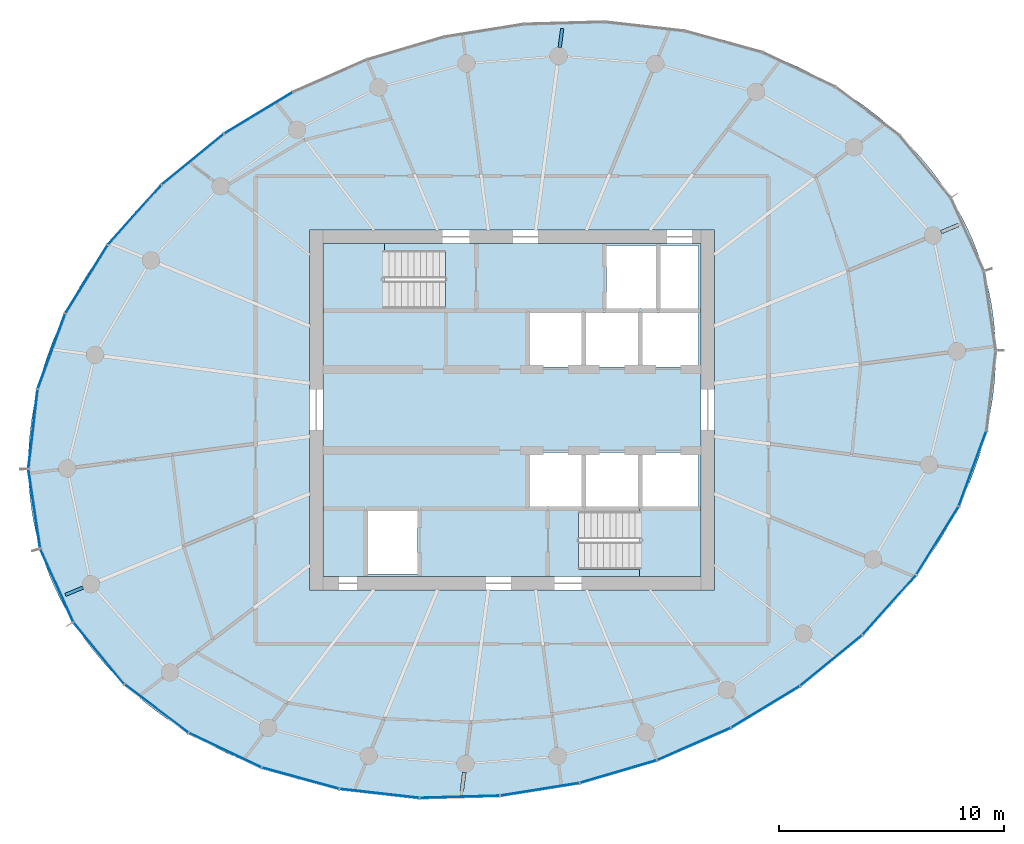
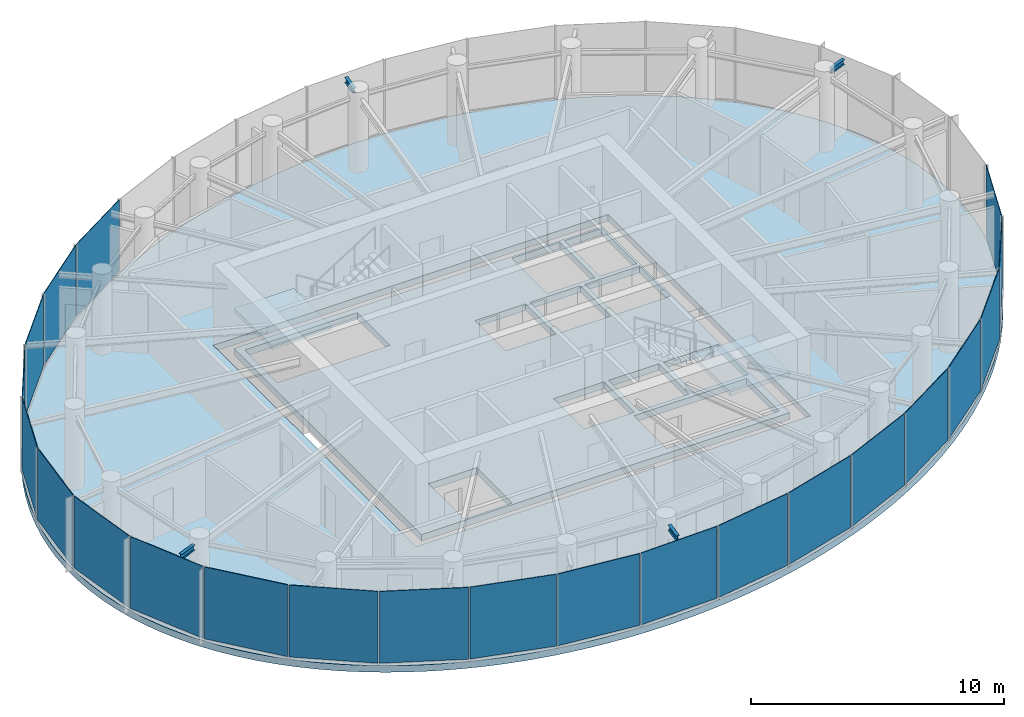
# One storey, part 7 of 13: 22 plates, 4 beams, 4 slabs, 7 elements without a shape of their own.
"""IFC4 building model written with IfcOpenShell, lengths in metres."""

from ifc_helpers import new_model, si_unit, direction, frame, origin, origin_2d, place, context, subcontext, project, spatial, line, indexed_curve, rectangle, i_section, outline, extrude, source, transform, mapped, material, layer, layer_set, material_profile, profile_set, type_object, element, aggregate, save


model = new_model("IFC4")

# Units and contexts
model_context = context("Model", 3, precision=1e-05, world=origin(), true_north=direction((0.0, 1.0)))
body_context = subcontext(model_context, "Body", "Model", "MODEL_VIEW")
ifc_project = project(units=[si_unit("LENGTHUNIT", "METRE"), si_unit("AREAUNIT", "SQUARE_METRE"), si_unit("VOLUMEUNIT", "CUBIC_METRE"), si_unit("PLANEANGLEUNIT", "RADIAN"), si_unit("MASSUNIT", "GRAM", prefix="KILO")], contexts=[model_context])

# Site, building, storey
site_placement = place(None, origin())
site = spatial("IfcSite", under=ifc_project, at=site_placement, CompositionType="ELEMENT")
building_placement = place(site_placement, origin())
building = spatial("IfcBuilding", under=site, at=building_placement, Name="Spindrift Exchange Tower", CompositionType="ELEMENT")
storey_placement = place(building_placement, frame((0.0, 0.0, 254.0)))
storey = spatial("IfcBuildingStorey", under=building, at=storey_placement, Name="L62", CompositionType="ELEMENT", Elevation=254.0)

# Beams
ifc_material_1 = material(Name="Steel Grade 300", Category="steel")
ifc_material_profile = material_profile(ifc_material_1, i_section(OverallWidth=0.14599609375, OverallDepth=0.251953125, WebThickness=0.006103515625, FlangeThickness=0.008544921875, FilletRadius=0.011962890625, at=origin_2d()), Name="250UB31.4")
ifc_profile_set = profile_set([ifc_material_profile], Name="Steel Grade 300")
beam_type = type_object("IfcBeamType", Name="Cantilever Beam 250UB31.4 Steel Grade 300", PredefinedType="BEAM", material=ifc_profile_set)
shared_shape_1 = source(origin(), body_context, "Body", "SweptSolid", [
    extrude(i_section(OverallWidth=0.14599609375, OverallDepth=0.251953125, WebThickness=0.006103515625, FlangeThickness=0.008544921875, FilletRadius=0.011962890625, at=origin_2d()), origin(), (0.0, 0.0, 1.0), 0.84912109375),
])
for number, where, z_axis, x_axis, name in (
    (1, (71.07080078125, 55.8994140625, 3.4541015625), (0.923866130608, 0.38271578582, 0.0), (-0.38271578582, 0.923866130608, 0.0), "L62 cantilever beam R02T"),
    (2, (32.92919921875, 40.1005859375, 3.4541015625), (-0.923866130608, -0.38271578582, 0.0), (0.38271578582, -0.923866130608, 0.0), "L62 cantilever beam R14T"),
):
    element("IfcBeam", number, at=place(storey_placement, frame(where, z_axis=z_axis, x_axis=x_axis)), inside=storey, type_object=beam_type, Name=name, PredefinedType="BEAM", context=body_context, shape_type="MappedRepresentation", body=[
        mapped(shared_shape_1, transform((0.0, 0.0, 0.0), scale=1.0)),
    ])
shared_shape_2 = source(origin(), body_context, "Body", "SweptSolid", [
    extrude(i_section(OverallWidth=0.14599609375, OverallDepth=0.251953125, WebThickness=0.006103515625, FlangeThickness=0.008544921875, FilletRadius=0.011962890625, at=origin_2d()), origin(), (0.0, 0.0, 1.0), 0.849853515625),
])
for number, where, z_axis, x_axis, name in (
    (3, (54.12060546875, 64.108154296875, 3.4541015625), (0.130714609415, 0.991420037565, 0.0), (-0.991420037565, 0.130714609415, 0.0), "L62 cantilever beam R06T"),
    (4, (49.87939453125, 31.891845703125, 3.4541015625), (-0.130714609415, -0.991420037565, 0.0), (0.991420037565, -0.130714609415, 0.0), "L62 cantilever beam R18T"),
):
    element("IfcBeam", number, at=place(storey_placement, frame(where, z_axis=z_axis, x_axis=x_axis)), inside=storey, type_object=beam_type, Name=name, PredefinedType="BEAM", context=body_context, shape_type="MappedRepresentation", body=[
        mapped(shared_shape_2, transform((0.0, 0.0, 0.0), scale=1.0)),
    ])

# Slabs
ifc_material_2 = material(Name="Concrete 40 MPa", Category="concrete")
ifc_layer_1 = layer(ifc_material_2, 0.320068359375)
ifc_layer_set_1 = layer_set([ifc_layer_1], Name="RC Floor Slab 320 Concrete 40 MPa")
slab_type_1 = type_object("IfcSlabType", Name="RC Floor Slab 320 Concrete 40 MPa", PredefinedType="FLOOR", material=ifc_layer_set_1)
slab_1_placement = place(storey_placement, frame((0.0, 0.0, -0.320068359375)))
element("IfcSlab", 5, at=slab_1_placement, inside=storey, type_object=slab_type_1, Name="Floor slab L62", PredefinedType="FLOOR", context=body_context, shape_type="SweptSolid", body=[
    extrude(outline(indexed_curve([(72.970703125, 54.169921875), (72.762451171875, 54.814697265625), (72.520751953125, 55.447998046875), (72.3876953125, 55.759765625), (72.097412109375, 56.372314453125), (71.77587890625, 56.968994140625), (71.60400390625, 57.260986328125), (71.238525390625, 57.831787109375), (71.04541015625, 58.110107421875), (70.638671875, 58.652587890625), (70.206298828125, 59.174560546875), (69.75, 59.67578125), (69.513427734375, 59.91845703125), (69.02392578125, 60.387451171875), (68.514404296875, 60.834228515625), (68.25244140625, 61.04931640625), (67.71533203125, 61.462890625), (67.4404296875, 61.6611328125), (66.879150390625, 62.041015625), (66.302978515625, 62.3984375), (66.010009765625, 62.56884765625), (65.414794921875, 62.892822265625), (64.807861328125, 63.19482421875), (64.50048828125, 63.337646484375), (64.190673828125, 63.474853515625), (63.564208984375, 63.733642578125), (63.24755859375, 63.85498046875), (62.60888671875, 64.081787109375), (61.963134765625, 64.28759765625), (61.6376953125, 64.3828125), (60.98291015625, 64.558349609375), (60.65380859375, 64.638427734375), (59.99169921875, 64.78369140625), (59.6591796875, 64.84912109375), (58.656005859375, 65.01611328125), (57.64697265625, 65.140380859375), (56.6337890625, 65.22314453125), (55.617919921875, 65.264892578125), (54.60107421875, 65.26708984375), (53.5849609375, 65.22998046875), (52.571044921875, 65.154541015625), (51.560546875, 65.04150390625), (50.554931640625, 64.8916015625), (49.555419921875, 64.705078125), (48.89306640625, 64.560791015625), (48.234375, 64.40087890625), (47.25390625, 64.13134765625), (46.283935546875, 63.826904296875), (45.6435546875, 63.604736328125), (45.008544921875, 63.367431640625), (44.0673828125, 62.98291015625), (43.140625, 62.564208984375), (42.22998046875, 62.112060546875), (41.3369140625, 61.62646484375), (40.462646484375, 61.107421875), (39.60888671875, 60.554931640625), (38.777587890625, 59.9697265625), (37.970458984375, 59.351318359375), (37.189453125, 58.700439453125), (36.436767578125, 58.016845703125), (35.951904296875, 57.543212890625), (35.714599609375, 57.301025390625), (35.25146484375, 56.80615234375), (35.025634765625, 56.553466796875), (34.8037109375, 56.297119140625), (34.37255859375, 55.7744140625), (33.958251953125, 55.23779296875), (33.758056640625, 54.96435546875), (33.562255859375, 54.687744140625), (33.185302734375, 54.12451171875), (32.828125, 53.548095703125), (32.657470703125, 53.25537109375), (32.4921875, 52.95947265625), (32.178466796875, 52.358642578125), (31.8876953125, 51.746337890625), (31.62158203125, 51.123046875), (31.497802734375, 50.807373046875), (31.270263671875, 50.1689453125), (31.16650390625, 49.84619140625), (30.97998046875, 49.194580078125), (30.822509765625, 48.535400390625), (30.7548828125, 48.203125), (30.642822265625, 47.53466796875), (30.562255859375, 46.86181640625), (30.513916015625, 46.185546875), (30.502197265625, 45.846923828125), (30.504150390625, 45.169189453125), (30.517578125, 44.830322265625), (30.57080078125, 44.15478515625), (30.658447265625, 43.482666015625), (30.71533203125, 43.1484375), (30.85498046875, 42.4853515625), (31.029296875, 41.830078125), (31.237548828125, 41.185302734375), (31.479248046875, 40.552001953125), (31.6123046875, 40.240234375), (31.902587890625, 39.627685546875), (32.22412109375, 39.031005859375), (32.39599609375, 38.739013671875), (32.761474609375, 38.168212890625), (32.95458984375, 37.889892578125), (33.361328125, 37.347412109375), (33.793701171875, 36.825439453125), (34.25, 36.32421875), (34.486572265625, 36.08154296875), (34.97607421875, 35.612548828125), (35.485595703125, 35.165771484375), (35.74755859375, 34.95068359375), (36.28466796875, 34.537109375), (36.5595703125, 34.3388671875), (37.120849609375, 33.958984375), (37.697021484375, 33.6015625), (37.989990234375, 33.43115234375), (38.585205078125, 33.107177734375), (39.192138671875, 32.80517578125), (39.49951171875, 32.662353515625), (39.809326171875, 32.525146484375), (40.435791015625, 32.266357421875), (40.75244140625, 32.14501953125), (41.39111328125, 31.918212890625), (42.036865234375, 31.71240234375), (42.3623046875, 31.6171875), (43.01708984375, 31.441650390625), (43.34619140625, 31.361572265625), (44.00830078125, 31.21630859375), (44.3408203125, 31.15087890625), (45.343994140625, 30.98388671875), (46.35302734375, 30.859619140625), (47.3662109375, 30.77685546875), (48.382080078125, 30.735107421875), (49.39892578125, 30.73291015625), (50.4150390625, 30.77001953125), (51.428955078125, 30.845458984375), (52.439453125, 30.95849609375), (53.445068359375, 31.1083984375), (54.444580078125, 31.294921875), (55.10693359375, 31.439208984375), (55.765625, 31.59912109375), (56.74609375, 31.86865234375), (57.716064453125, 32.173095703125), (58.3564453125, 32.395263671875), (58.991455078125, 32.632568359375), (59.9326171875, 33.01708984375), (60.859375, 33.435791015625), (61.77001953125, 33.887939453125), (62.6630859375, 34.37353515625), (63.537353515625, 34.892578125), (64.39111328125, 35.445068359375), (65.222412109375, 36.0302734375), (66.029541015625, 36.648681640625), (66.810546875, 37.299560546875), (67.563232421875, 37.983154296875), (68.048095703125, 38.456787109375), (68.285400390625, 38.698974609375), (68.74853515625, 39.19384765625), (68.974365234375, 39.446533203125), (69.1962890625, 39.702880859375), (69.62744140625, 40.2255859375), (70.041748046875, 40.76220703125), (70.241943359375, 41.03564453125), (70.437744140625, 41.312255859375), (70.814697265625, 41.87548828125), (71.171875, 42.451904296875), (71.342529296875, 42.74462890625), (71.5078125, 43.04052734375), (71.821533203125, 43.641357421875), (72.1123046875, 44.253662109375), (72.37841796875, 44.876953125), (72.502197265625, 45.192626953125), (72.729736328125, 45.8310546875), (72.83349609375, 46.15380859375), (73.02001953125, 46.805419921875), (73.177490234375, 47.464599609375), (73.2451171875, 47.796875), (73.357177734375, 48.46533203125), (73.437744140625, 49.13818359375), (73.486083984375, 49.814453125), (73.497802734375, 50.153076171875), (73.495849609375, 50.830810546875), (73.482421875, 51.169677734375), (73.42919921875, 51.84521484375), (73.341552734375, 52.517333984375), (73.28466796875, 52.8515625), (73.14501953125, 53.5146484375)], segments=[line(1, 2, 3, 4, 5, 6, 7, 8, 9, 10, 11, 12, 13, 14, 15, 16, 17, 18, 19, 20, 21, 22, 23, 24, 25, 26, 27, 28, 29, 30, 31, 32, 33, 34, 35, 36, 37, 38, 39, 40, 41, 42, 43, 44, 45, 46, 47, 48, 49, 50, 51, 52, 53, 54, 55, 56, 57, 58, 59, 60, 61, 62, 63, 64, 65, 66, 67, 68, 69, 70, 71, 72, 73, 74, 75, 76, 77, 78, 79, 80, 81, 82, 83, 84, 85, 86, 87, 88, 89, 90, 91, 92, 93, 94, 95, 96, 97, 98, 99, 100, 101, 102, 103, 104, 105, 106, 107, 108, 109, 110, 111, 112, 113, 114, 115, 116, 117, 118, 119, 120, 121, 122, 123, 124, 125, 126, 127, 128, 129, 130, 131, 132, 133, 134, 135, 136, 137, 138, 139, 140, 141, 142, 143, 144, 145, 146, 147, 148, 149, 150, 151, 152, 153, 154, 155, 156, 157, 158, 159, 160, 161, 162, 163, 164, 165, 166, 167, 168, 169, 170, 171, 172, 173, 174, 175, 176, 177, 178, 179, 180, 181, 182, 183, 184, 1)], self_intersect=False), holes=[indexed_curve([(43.0, 40.0), (61.0, 40.0), (61.0, 56.0), (43.0, 56.0)], segments=[line(1, 2, 3, 4, 1)], self_intersect=False)]), origin(), (0.0, 0.0, 1.0), 0.320068359375),
])
ifc_material_3 = material(Name="Concrete 50 MPa", Category="concrete")
ifc_layer_2 = layer(ifc_material_3, 0.320068359375)
ifc_layer_set_2 = layer_set([ifc_layer_2], Name="SL-CORE-FLOOR-320")
slab_type_2 = type_object("IfcSlabType", Name="SL-CORE-FLOOR-320", PredefinedType="FLOOR", material=ifc_layer_set_2)
slab_2_placement = place(storey_placement, frame((0.0, 0.0, -0.320068359375)))
element("IfcSlab", 6, at=slab_2_placement, inside=storey, type_object=slab_type_2, Name="L62 Core floor slab", PredefinedType="FLOOR", context=body_context, shape_type="SweptSolid", body=[
    extrude(outline(indexed_curve([(43.60009765625, 40.60009765625), (43.60009765625, 55.39990234375), (60.39990234375, 55.39990234375), (60.39990234375, 40.60009765625)], segments=[line(1, 2, 3, 4, 1)], self_intersect=False), holes=[indexed_curve([(45.60009765625, 43.5), (45.60009765625, 40.699951171875), (47.800048828125, 40.699951171875), (47.800048828125, 43.5)], segments=[line(1, 2, 3, 4, 1)], self_intersect=False), indexed_curve([(52.800048828125, 46.10009765625), (52.800048828125, 43.699951171875), (55.10009765625, 43.699951171875), (55.10009765625, 46.10009765625)], segments=[line(1, 2, 3, 4, 1)], self_intersect=False), indexed_curve([(55.300048828125, 46.10009765625), (55.300048828125, 43.699951171875), (57.60009765625, 43.699951171875), (57.60009765625, 46.10009765625)], segments=[line(1, 2, 3, 4, 1)], self_intersect=False), indexed_curve([(55.10009765625, 52.300048828125), (52.800048828125, 52.300048828125), (52.800048828125, 49.89990234375), (55.10009765625, 49.89990234375)], segments=[line(1, 2, 3, 4, 1)], self_intersect=False), indexed_curve([(57.60009765625, 52.300048828125), (55.300048828125, 52.300048828125), (55.300048828125, 49.89990234375), (57.60009765625, 49.89990234375)], segments=[line(1, 2, 3, 4, 1)], self_intersect=False), indexed_curve([(43.906005859375, 52.506103515625), (49.0439453125, 52.506103515625), (49.0439453125, 55.093994140625), (43.906005859375, 55.093994140625)], segments=[line(1, 2, 3, 4, 1)], self_intersect=False), indexed_curve([(60.093994140625, 40.906005859375), (60.093994140625, 43.493896484375), (54.9560546875, 43.493896484375), (54.9560546875, 40.906005859375)], segments=[line(1, 2, 3, 4, 1)], self_intersect=False), indexed_curve([(60.300048828125, 46.10009765625), (57.800048828125, 46.10009765625), (57.800048828125, 43.699951171875), (60.300048828125, 43.699951171875)], segments=[line(1, 2, 3, 4, 1)], self_intersect=False), indexed_curve([(57.800048828125, 52.300048828125), (57.800048828125, 49.89990234375), (60.300048828125, 49.89990234375), (60.300048828125, 52.300048828125)], segments=[line(1, 2, 3, 4, 1)], self_intersect=False), indexed_curve([(58.39990234375, 55.300048828125), (56.199951171875, 55.300048828125), (56.199951171875, 52.5), (58.39990234375, 52.5)], segments=[line(1, 2, 3, 4, 1)], self_intersect=False), indexed_curve([(60.300048828125, 55.300048828125), (58.60009765625, 55.300048828125), (58.60009765625, 52.5), (60.300048828125, 52.5)], segments=[line(1, 2, 3, 4, 1)], self_intersect=False)]), origin(), (0.0, 0.0, 1.0), 0.320068359375),
])

# Stair, slab
stair_type = type_object("IfcStairType", Name="ST-1250-R177", PredefinedType="HALF_TURN_STAIR", material=ifc_material_3)
stair_1_placement = place(storey_placement, origin())
stair_1 = element("IfcStair", 7, at=stair_1_placement, inside=storey, type_object=stair_type, Name="L62 Exit stair ST1", PredefinedType="HALF_TURN_STAIR")
ifc_layer_3 = layer(ifc_material_3, 0.199951171875)
ifc_layer_set_3 = layer_set([ifc_layer_3], Name="SL-LANDING")
slab_type_3 = type_object("IfcSlabType", Name="SL-LANDING", PredefinedType="LANDING", material=ifc_layer_set_3)
slab_3_placement = place(storey_placement, frame((0.0, 0.0, 1.75)))
slab_3 = element("IfcSlab", 8, at=slab_3_placement, type_object=slab_type_3, Name="ST1 landing 1", PredefinedType="LANDING", context=body_context, shape_type="SweptSolid", body=[
    extrude(outline(indexed_curve([(46.330078125, 52.39990234375), (43.60009765625, 52.39990234375), (43.60009765625, 55.39990234375), (46.330078125, 55.39990234375)], segments=[line(1, 2, 3, 4, 1)], self_intersect=False)), origin(), (0.0, 0.0, 1.0), 0.199951171875),
])
aggregate(stair_1, [slab_3])

stair_2_placement = place(storey_placement, origin())
stair_2 = element("IfcStair", 9, at=stair_2_placement, inside=storey, type_object=stair_type, Name="L62 Exit stair ST2", PredefinedType="HALF_TURN_STAIR")
slab_4_placement = place(storey_placement, frame((0.0, 0.0, 1.75)))
slab_4 = element("IfcSlab", 10, at=slab_4_placement, type_object=slab_type_3, Name="ST2 landing 1", PredefinedType="LANDING", context=body_context, shape_type="SweptSolid", body=[
    extrude(outline(indexed_curve([(57.669921875, 43.60009765625), (60.39990234375, 43.60009765625), (60.39990234375, 40.60009765625), (57.669921875, 40.60009765625)], segments=[line(1, 2, 3, 4, 1)], self_intersect=False)), origin(), (0.0, 0.0, 1.0), 0.199951171875),
])
aggregate(stair_2, [slab_4])

# Curtain wall, plates
ifc_material_4 = material(Name="Fritted laminated glass with bronze frame", Category="glass")
ifc_layer_4 = layer(ifc_material_4, 0.159912109375)
ifc_layer_set_4 = layer_set([ifc_layer_4], Name="ZONE 5 BRONZE FRITTED WALL")
curtain_wall_type = type_object("IfcCurtainWallType", Name="ZONE 5 BRONZE FRITTED WALL", PredefinedType="NOTDEFINED", material=ifc_layer_set_4)
curtain_wall_1_placement = place(storey_placement, origin())
curtain_wall_1 = element("IfcCurtainWall", 11, at=curtain_wall_1_placement, inside=storey, type_object=curtain_wall_type, Name="L62 Zone 5 Bronze Fritted Wall run 5", PredefinedType="NOTDEFINED")
ifc_material_5 = material(Name="Bronze fritted laminated glass, open frit", Category="glass")
ifc_layer_5 = layer(ifc_material_5, 0.028076171875)
ifc_layer_set_5 = layer_set([ifc_layer_5], Name="ZONE 5 BRONZE FRITTED WALL PANEL OPEN FRIT 600")
plate_type_1 = type_object("IfcPlateType", Name="ZONE 5 BRONZE FRITTED WALL PANEL OPEN FRIT 600", PredefinedType="CURTAIN_PANEL", material=ifc_layer_set_5)
shared_shape_3 = source(origin(), body_context, "Body", "SweptSolid", [
    extrude(rectangle(XDim=3.5263671875, YDim=0.028076171875, at=origin_2d()), origin(), (0.0, 0.0, 1.0), 3.4599609375),
])
plate_1_placement = place(storey_placement, frame((56.72998046875, 31.923095703125, 0.1201171875), z_axis=(0.0, 0.0, 1.0), x_axis=(0.959343536008, 0.28224099617, 0.0)))
plate_1 = element("IfcPlate", 12, at=plate_1_placement, type_object=plate_type_1, Name="L62 panel CW-5.26", PredefinedType="CURTAIN_PANEL", context=body_context, shape_type="MappedRepresentation", body=[
    mapped(shared_shape_3, transform((0.0, 0.0, 0.0), scale=1.0)),
])
ifc_layer_6 = layer(ifc_material_5, 0.028076171875)
ifc_layer_set_6 = layer_set([ifc_layer_6], Name="ZONE 5 BRONZE FRITTED WALL PANEL OPEN FRIT 480")
plate_type_2 = type_object("IfcPlateType", Name="ZONE 5 BRONZE FRITTED WALL PANEL OPEN FRIT 480", PredefinedType="CURTAIN_PANEL", material=ifc_layer_set_6)
shared_shape_4 = source(origin(), body_context, "Body", "SweptSolid", [
    extrude(rectangle(XDim=3.526123046875, YDim=0.028076171875, at=origin_2d()), origin(), (0.0, 0.0, 1.0), 3.4599609375),
])
plate_2_placement = place(storey_placement, frame((63.26806640625, 34.798583984375, 0.1201171875), z_axis=(0.0, 0.0, 1.0), x_axis=(0.855258459387, 0.518201666966, 0.0)))
plate_2 = element("IfcPlate", 13, at=plate_2_placement, type_object=plate_type_2, Name="L62 panel CW-5.28", PredefinedType="CURTAIN_PANEL", context=body_context, shape_type="MappedRepresentation", body=[
    mapped(shared_shape_4, transform((0.0, 0.0, 0.0), scale=1.0)),
])

# Curtain wall, plate
curtain_wall_2_placement = place(storey_placement, origin())
curtain_wall_2 = element("IfcCurtainWall", 14, at=curtain_wall_2_placement, inside=storey, type_object=curtain_wall_type, Name="L62 Zone 5 Bronze Fritted Wall run 4", PredefinedType="NOTDEFINED")
shared_shape_5 = source(origin(), body_context, "Body", "SweptSolid", [
    extrude(rectangle(XDim=3.525390625, YDim=0.028076171875, at=origin_2d()), origin(), (0.0, 0.0, 1.0), 3.4599609375),
])
plate_3_placement = place(storey_placement, frame((46.1025390625, 30.952392578125, 0.1201171875), z_axis=(0.0, 0.0, 1.0), x_axis=(0.993628829001, -0.112702041592, 0.0)))
plate_3 = element("IfcPlate", 15, at=plate_3_placement, type_object=plate_type_1, Name="L62 panel CW-5.23", PredefinedType="CURTAIN_PANEL", context=body_context, shape_type="MappedRepresentation", body=[
    mapped(shared_shape_5, transform((0.0, 0.0, 0.0), scale=1.0)),
])

# Curtain wall, plates
curtain_wall_3_placement = place(storey_placement, origin())
curtain_wall_3 = element("IfcCurtainWall", 16, at=curtain_wall_3_placement, inside=storey, type_object=curtain_wall_type, Name="L62 Zone 5 Bronze Fritted Wall run 3", PredefinedType="NOTDEFINED")
shared_shape_6 = source(origin(), body_context, "Body", "SweptSolid", [
    extrude(rectangle(XDim=3.5234375, YDim=0.028076171875, at=origin_2d()), origin(), (0.0, 0.0, 1.0), 3.4599609375),
])
plate_4_placement = place(storey_placement, frame((33.086669921875, 53.810302734375, 0.1201171875), z_axis=(0.0, 0.0, 1.0), x_axis=(-0.526627937595, -0.850095885971, 0.0)))
plate_4 = element("IfcPlate", 17, at=plate_4_placement, type_object=plate_type_2, Name="L62 panel CW-5.14", PredefinedType="CURTAIN_PANEL", context=body_context, shape_type="MappedRepresentation", body=[
    mapped(shared_shape_6, transform((0.0, 0.0, 0.0), scale=1.0)),
])
shared_shape_7 = source(origin(), body_context, "Body", "SweptSolid", [
    extrude(rectangle(XDim=3.519287109375, YDim=0.028076171875, at=origin_2d()), origin(), (0.0, 0.0, 1.0), 3.4599609375),
])
plate_5_placement = place(storey_placement, frame((30.705810546875, 47.146240234375, 0.1201171875), z_axis=(0.0, 0.0, 1.0), x_axis=(-0.114992630715, -0.99336634475, 0.0)))
plate_5 = element("IfcPlate", 18, at=plate_5_placement, type_object=plate_type_1, Name="L62 panel CW-5.16", PredefinedType="CURTAIN_PANEL", context=body_context, shape_type="MappedRepresentation", body=[
    mapped(shared_shape_7, transform((0.0, 0.0, 0.0), scale=1.0)),
])

# Plate
plate_6_placement = place(storey_placement, frame((33.63623046875, 37.18603515625, 0.1201171875), z_axis=(0.0, 0.0, 1.0), x_axis=(0.634646891667, -0.772802253424, 0.0)))
plate_6 = element("IfcPlate", 19, at=plate_6_placement, type_object=plate_type_1, Name="L62 panel CW-5.19", PredefinedType="CURTAIN_PANEL", context=body_context, shape_type="MappedRepresentation", body=[
    mapped(shared_shape_7, transform((0.0, 0.0, 0.0), scale=1.0)),
])

shared_shape_8 = source(origin(), body_context, "Body", "SweptSolid", [
    extrude(rectangle(XDim=3.517578125, YDim=0.028076171875, at=origin_2d()), origin(), (0.0, 0.0, 1.0), 3.4599609375),
])
plate_7_placement = place(storey_placement, frame((31.764892578125, 40.19970703125, 0.1201171875), z_axis=(0.0, 0.0, 1.0), x_axis=(0.411213694149, -0.911538972148, 0.0)))
plate_7 = element("IfcPlate", 20, at=plate_7_placement, type_object=plate_type_2, Name="L62 panel CW-5.18", PredefinedType="CURTAIN_PANEL", context=body_context, shape_type="MappedRepresentation", body=[
    mapped(shared_shape_8, transform((0.0, 0.0, 0.0), scale=1.0)),
])

ifc_layer_7 = layer(ifc_material_5, 0.028076171875)
ifc_layer_set_7 = layer_set([ifc_layer_7], Name="ZONE 5 BRONZE FRITTED WALL PANEL OPEN FRIT 360")
plate_type_3 = type_object("IfcPlateType", Name="ZONE 5 BRONZE FRITTED WALL PANEL OPEN FRIT 360", PredefinedType="CURTAIN_PANEL", material=ifc_layer_set_7)
shared_shape_9 = source(origin(), body_context, "Body", "SweptSolid", [
    extrude(rectangle(XDim=3.5234375, YDim=0.028076171875, at=origin_2d()), origin(), (0.0, 0.0, 1.0), 3.4599609375),
])
plate_8_placement = place(storey_placement, frame((39.246337890625, 32.873046875, 0.1201171875), z_axis=(0.0, 0.0, 1.0), x_axis=(0.903088094144, -0.429455346008, 0.0)))
plate_8 = element("IfcPlate", 21, at=plate_8_placement, type_object=plate_type_3, Name="L62 panel CW-5.21", PredefinedType="CURTAIN_PANEL", context=body_context, shape_type="MappedRepresentation", body=[
    mapped(shared_shape_9, transform((0.0, 0.0, 0.0), scale=1.0)),
])

shared_shape_10 = source(origin(), body_context, "Body", "SweptSolid", [
    extrude(rectangle(XDim=3.5263671875, YDim=0.028076171875, at=origin_2d()), origin(), (0.0, 0.0, 1.0), 3.4599609375),
])
plate_9_placement = place(storey_placement, frame((60.09228515625, 33.1494140625, 0.1201171875), z_axis=(0.0, 0.0, 1.0), x_axis=(0.915796534921, 0.40164251098, 0.0)))
plate_9 = element("IfcPlate", 22, at=plate_9_placement, type_object=plate_type_2, Name="L62 panel CW-5.27", PredefinedType="CURTAIN_PANEL", context=body_context, shape_type="MappedRepresentation", body=[
    mapped(shared_shape_10, transform((0.0, 0.0, 0.0), scale=1.0)),
])

# Curtain wall, plate
curtain_wall_4_placement = place(storey_placement, origin())
curtain_wall_4 = element("IfcCurtainWall", 23, at=curtain_wall_4_placement, inside=storey, type_object=curtain_wall_type, Name="L62 Zone 5 Bronze Fritted Wall run 2", PredefinedType="NOTDEFINED")
shared_shape_11 = source(origin(), body_context, "Body", "SweptSolid", [
    extrude(rectangle(XDim=3.526123046875, YDim=0.028076171875, at=origin_2d()), origin(), (0.0, 0.0, 1.0), 3.4599609375),
])
plate_10_placement = place(storey_placement, frame((40.73193359375, 61.201416015625, 0.1201171875), z_axis=(0.0, 0.0, 1.0), x_axis=(-0.855258459387, -0.518201666966, 0.0)))
plate_10 = element("IfcPlate", 24, at=plate_10_placement, type_object=plate_type_3, Name="L62 panel CW-5.11", PredefinedType="CURTAIN_PANEL", context=body_context, shape_type="MappedRepresentation", body=[
    mapped(shared_shape_11, transform((0.0, 0.0, 0.0), scale=1.0)),
])

# Plate
plate_11_placement = place(storey_placement, frame((49.67626953125, 30.7998046875, 0.1201171875), z_axis=(0.0, 0.0, 1.0), x_axis=(0.999621146894, 0.027523856603, 0.0)))
plate_11 = element("IfcPlate", 25, at=plate_11_placement, type_object=plate_type_3, Name="L62 panel CW-5.24", PredefinedType="CURTAIN_PANEL", context=body_context, shape_type="MappedRepresentation", body=[
    mapped(shared_shape_11, transform((0.0, 0.0, 0.0), scale=1.0)),
])

plate_12_placement = place(storey_placement, frame((53.2392578125, 31.133056640625, 0.1201171875), z_axis=(0.0, 0.0, 1.0), x_axis=(0.987390885245, 0.158301104657, 0.0)))
plate_12 = element("IfcPlate", 26, at=plate_12_placement, type_object=plate_type_3, Name="L62 panel CW-5.25", PredefinedType="CURTAIN_PANEL", context=body_context, shape_type="MappedRepresentation", body=[
    mapped(shared_shape_11, transform((0.0, 0.0, 0.0), scale=1.0)),
])

shared_shape_12 = source(origin(), body_context, "Body", "SweptSolid", [
    extrude(rectangle(XDim=3.517578125, YDim=0.028076171875, at=origin_2d()), origin(), (0.0, 0.0, 1.0), 3.4599609375),
])
plate_13_placement = place(storey_placement, frame((30.7646484375, 43.599365234375, 0.1201171875), z_axis=(0.0, 0.0, 1.0), x_axis=(0.147921610469, -0.988999088552, 0.0)))
plate_13 = element("IfcPlate", 27, at=plate_13_placement, type_object=plate_type_3, Name="L62 panel CW-5.17", PredefinedType="CURTAIN_PANEL", context=body_context, shape_type="MappedRepresentation", body=[
    mapped(shared_shape_12, transform((0.0, 0.0, 0.0), scale=1.0)),
])

shared_shape_13 = source(origin(), body_context, "Body", "SweptSolid", [
    extrude(rectangle(XDim=3.521484375, YDim=0.028076171875, at=origin_2d()), origin(), (0.0, 0.0, 1.0), 3.4599609375),
])
plate_14_placement = place(storey_placement, frame((31.52734375, 50.605712890625, 0.1201171875), z_axis=(0.0, 0.0, 1.0), x_axis=(-0.343794091416, -0.939045058933, 0.0)))
plate_14 = element("IfcPlate", 28, at=plate_14_placement, type_object=plate_type_2, Name="L62 panel CW-5.15", PredefinedType="CURTAIN_PANEL", context=body_context, shape_type="MappedRepresentation", body=[
    mapped(shared_shape_13, transform((0.0, 0.0, 0.0), scale=1.0)),
])

plate_15_placement = place(storey_placement, frame((36.2001953125, 34.722900390625, 0.1201171875), z_axis=(0.0, 0.0, 1.0), x_axis=(0.797540762125, -0.60326506011, 0.0)))
plate_15 = element("IfcPlate", 29, at=plate_15_placement, type_object=plate_type_2, Name="L62 panel CW-5.20", PredefinedType="CURTAIN_PANEL", context=body_context, shape_type="MappedRepresentation", body=[
    mapped(shared_shape_13, transform((0.0, 0.0, 0.0), scale=1.0)),
])

# Curtain wall, plates
curtain_wall_5_placement = place(storey_placement, origin())
curtain_wall_5 = element("IfcCurtainWall", 30, at=curtain_wall_5_placement, inside=storey, type_object=curtain_wall_type, Name="L62 Zone 5 Bronze Fritted Wall run 6", PredefinedType="NOTDEFINED")
plate_16_placement = place(storey_placement, frame((72.47265625, 45.394287109375, 0.1201171875), z_axis=(0.0, 0.0, 1.0), x_axis=(0.343794091416, 0.939045058933, 0.0)))
plate_16 = element("IfcPlate", 31, at=plate_16_placement, type_object=plate_type_2, Name="L62 panel CW-5.32", PredefinedType="CURTAIN_PANEL", context=body_context, shape_type="MappedRepresentation", body=[
    mapped(shared_shape_13, transform((0.0, 0.0, 0.0), scale=1.0)),
])
shared_shape_14 = source(origin(), body_context, "Body", "SweptSolid", [
    extrude(rectangle(XDim=3.5234375, YDim=0.028076171875, at=origin_2d()), origin(), (0.0, 0.0, 1.0), 3.4599609375),
])
plate_17_placement = place(storey_placement, frame((70.913330078125, 42.189697265625, 0.1201171875), z_axis=(0.0, 0.0, 1.0), x_axis=(0.526627937595, 0.850095885971, 0.0)))
plate_17 = element("IfcPlate", 32, at=plate_17_placement, type_object=plate_type_1, Name="L62 panel CW-5.31", PredefinedType="CURTAIN_PANEL", context=body_context, shape_type="MappedRepresentation", body=[
    mapped(shared_shape_14, transform((0.0, 0.0, 0.0), scale=1.0)),
])
aggregate(curtain_wall_5, [plate_17, plate_16])

# Plate
shared_shape_15 = source(origin(), body_context, "Body", "SweptSolid", [
    extrude(rectangle(XDim=3.524658203125, YDim=0.028076171875, at=origin_2d()), origin(), (0.0, 0.0, 1.0), 3.4599609375),
])
plate_18_placement = place(storey_placement, frame((42.593017578125, 31.629150390625, 0.1201171875), z_axis=(0.0, 0.0, 1.0), x_axis=(0.9643207721, -0.264736564334, 0.0)))
plate_18 = element("IfcPlate", 33, at=plate_18_placement, type_object=plate_type_2, Name="L62 panel CW-5.22", PredefinedType="CURTAIN_PANEL", context=body_context, shape_type="MappedRepresentation", body=[
    mapped(shared_shape_15, transform((0.0, 0.0, 0.0), scale=1.0)),
])

aggregate(curtain_wall_2, [plate_6, plate_15, plate_8, plate_18, plate_3, plate_11])

shared_shape_16 = source(origin(), body_context, "Body", "SweptSolid", [
    extrude(rectangle(XDim=3.52490234375, YDim=0.028076171875, at=origin_2d()), origin(), (0.0, 0.0, 1.0), 3.4599609375),
])
plate_19_placement = place(storey_placement, frame((68.773681640625, 39.331787109375, 0.1201171875), z_axis=(0.0, 0.0, 1.0), x_axis=(0.667325764001, 0.744765952969, 0.0)))
plate_19 = element("IfcPlate", 34, at=plate_19_placement, type_object=plate_type_1, Name="L62 panel CW-5.30", PredefinedType="CURTAIN_PANEL", context=body_context, shape_type="MappedRepresentation", body=[
    mapped(shared_shape_16, transform((0.0, 0.0, 0.0), scale=1.0)),
])

shared_shape_17 = source(origin(), body_context, "Body", "SweptSolid", [
    extrude(rectangle(XDim=3.52490234375, YDim=0.028076171875, at=origin_2d()), origin(), (0.0, 0.0, 1.0), 3.4599609375),
])
plate_20_placement = place(storey_placement, frame((35.226318359375, 56.668212890625, 0.1201171875), z_axis=(0.0, 0.0, 1.0), x_axis=(-0.667325764001, -0.744765952969, 0.0)))
plate_20 = element("IfcPlate", 35, at=plate_20_placement, type_object=plate_type_2, Name="L62 panel CW-5.13", PredefinedType="CURTAIN_PANEL", context=body_context, shape_type="MappedRepresentation", body=[
    mapped(shared_shape_17, transform((0.0, 0.0, 0.0), scale=1.0)),
])

aggregate(curtain_wall_3, [plate_20, plate_4, plate_14, plate_5, plate_13, plate_7])

shared_shape_18 = source(origin(), body_context, "Body", "SweptSolid", [
    extrude(rectangle(XDim=3.525390625, YDim=0.028076171875, at=origin_2d()), origin(), (0.0, 0.0, 1.0), 3.4599609375),
])
plate_21_placement = place(storey_placement, frame((37.810302734375, 59.1376953125, 0.1201171875), z_axis=(0.0, 0.0, 1.0), x_axis=(-0.774289935923, -0.63283101625, 0.0)))
plate_21 = element("IfcPlate", 36, at=plate_21_placement, type_object=plate_type_3, Name="L62 panel CW-5.12", PredefinedType="CURTAIN_PANEL", context=body_context, shape_type="MappedRepresentation", body=[
    mapped(shared_shape_18, transform((0.0, 0.0, 0.0), scale=1.0)),
])

aggregate(curtain_wall_4, [plate_10, plate_21])

plate_22_placement = place(storey_placement, frame((66.189697265625, 36.8623046875, 0.1201171875), z_axis=(0.0, 0.0, 1.0), x_axis=(0.774289935923, 0.63283101625, 0.0)))
plate_22 = element("IfcPlate", 37, at=plate_22_placement, type_object=plate_type_3, Name="L62 panel CW-5.29", PredefinedType="CURTAIN_PANEL", context=body_context, shape_type="MappedRepresentation", body=[
    mapped(shared_shape_18, transform((0.0, 0.0, 0.0), scale=1.0)),
])

aggregate(curtain_wall_1, [plate_12, plate_1, plate_9, plate_2, plate_22, plate_19])

save(model, "model.ifc")
